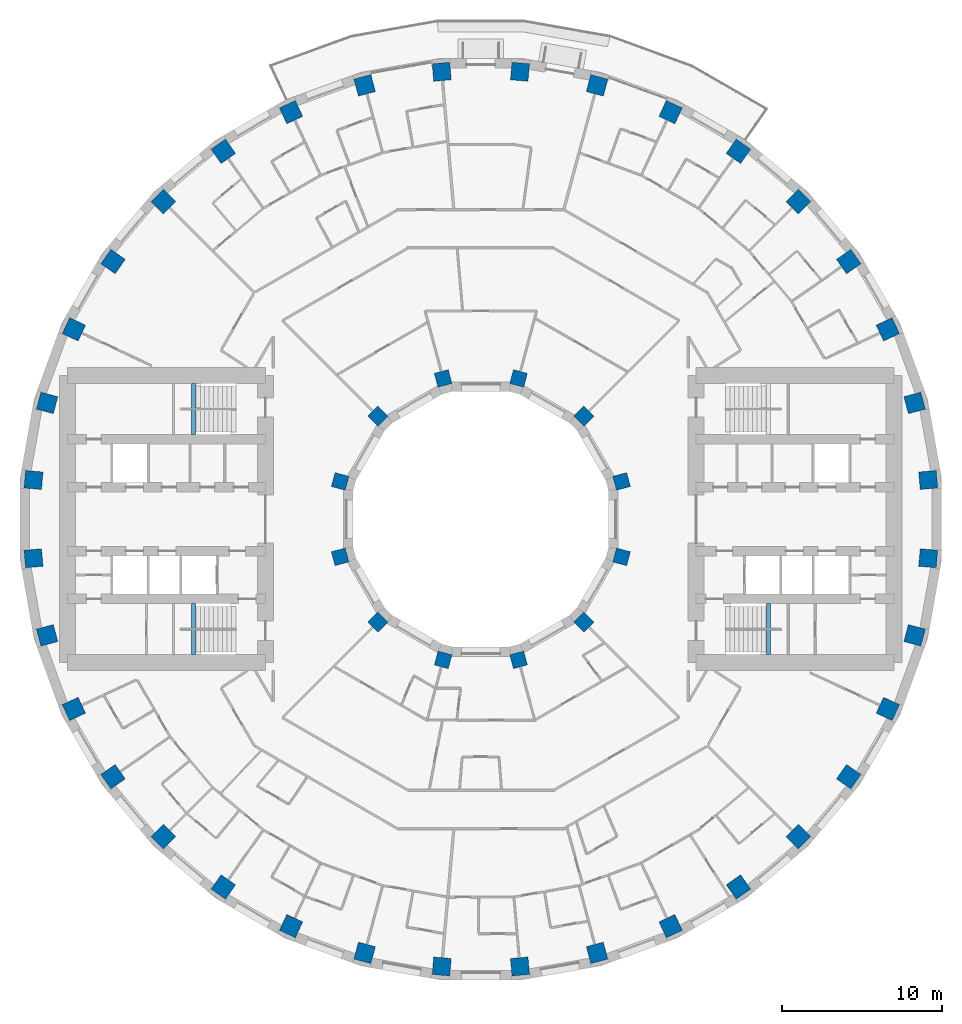
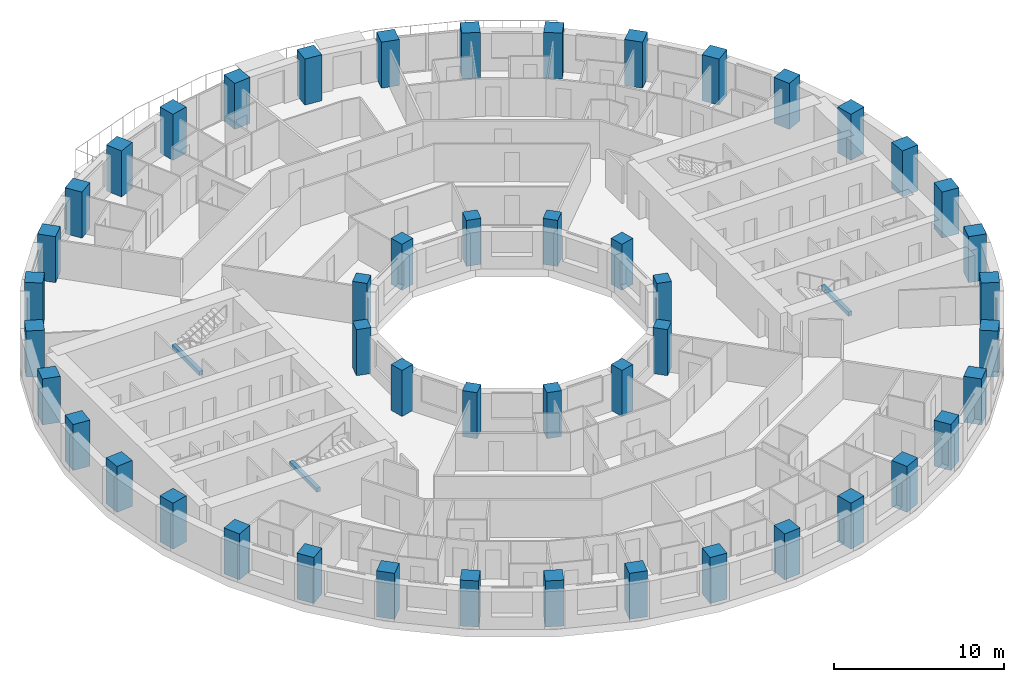
# One storey, part 1 of 15: 48 columns, 3 beams.
"""IFC4 building model written with IfcOpenShell, lengths in metres."""

import ifcopenshell
import ifcopenshell.guid

model = None  # the IFC model being written
_history = None  # IfcOwnerHistory: only IFC2X3 demands one
_inside = {}  # id of a spatial element -> (the spatial element, [elements in it])
_under = {}  # id of a project, library or spatial element -> (it, [spatial elements below it])
_declared = {}  # id of a project -> (the project, [libraries it declares])
_typed = {}  # id of a type object -> (the type object, [elements of that type])
_made_of = {}  # id of a material, layer set ... -> (it, [elements and type objects made of it])


def new_model(schema):
    """Start an empty IFC model of exactly this schema.

    Asked for "IFC4X3", IfcOpenShell would pick the latest addendum, in which some entities
    have other attributes; the version numbers below select the first issue.
    IFC2X3 requires an IfcOwnerHistory on every rooted entity: one is made here for all.
    """
    global model, _history
    if schema == "IFC4X3":
        model = ifcopenshell.file(schema_version=(4, 3, 0, 0))
    else:
        model = ifcopenshell.file(schema=schema)
    _inside.clear()
    _under.clear()
    _declared.clear()
    _typed.clear()
    _made_of.clear()
    _history = None
    if model.schema == "IFC2X3":
        org = make("IfcOrganization", Name="unknown")
        user = make(
            "IfcPersonAndOrganization",
            ThePerson=make("IfcPerson", FamilyName="unknown"),
            TheOrganization=org,
        )
        app = make(
            "IfcApplication",
            ApplicationDeveloper=org,
            Version="unknown",
            ApplicationFullName="unknown",
            ApplicationIdentifier="unknown",
        )
        _history = make(
            "IfcOwnerHistory",
            OwningUser=user,
            OwningApplication=app,
            ChangeAction="ADDED",
            CreationDate=0,
        )
    return model


def make(cls, **values):
    """One entity of the class cls with the attributes given. An attribute that is None is left unset."""
    return model.create_entity(
        cls, **{name: value for name, value in values.items() if value is not None}
    )


def rooted(cls, **values):
    """An entity with a GlobalId (a new one), such as an element, a storey or a relation."""
    return make(cls, GlobalId=ifcopenshell.guid.new(), OwnerHistory=_history, **values)


def si_unit(unit_type, name, prefix=None):
    """IfcSIUnit, for example si_unit("LENGTHUNIT", "METRE", prefix="MILLI")."""
    return make("IfcSIUnit", UnitType=unit_type, Prefix=prefix, Name=name)


def assignment(units):
    """IfcUnitAssignment: the units of a project."""
    return None if units is None else make("IfcUnitAssignment", Units=units)


def point(xyz):
    """IfcCartesianPoint."""
    return None if xyz is None else make("IfcCartesianPoint", Coordinates=xyz)


def direction(xyz):
    """IfcDirection."""
    return None if xyz is None else make("IfcDirection", DirectionRatios=xyz)


def frame(location, z_axis=None, x_axis=None):
    """IfcAxis2Placement3D, a coordinate frame: its origin and axes. An axis left out is left unset."""
    return make(
        "IfcAxis2Placement3D",
        Location=point(location),
        Axis=direction(z_axis),
        RefDirection=direction(x_axis),
    )


def frame_2d(location, x_axis=None):
    """IfcAxis2Placement2D, a coordinate frame in the plane: its origin and x axis."""
    return make(
        "IfcAxis2Placement2D", Location=point(location), RefDirection=direction(x_axis)
    )


def origin():
    """The frame at (0, 0, 0) with its axes left unset."""
    return frame((0.0, 0.0, 0.0))


def origin_2d():
    """The frame at (0, 0) in the plane with its x axis left unset."""
    return frame_2d((0.0, 0.0))


def place(relative_to, where):
    """IfcLocalPlacement: puts the frame where relative to a parent placement (None: the world)."""
    return make(
        "IfcLocalPlacement", PlacementRelTo=relative_to, RelativePlacement=where
    )


def context(
    kind, dimensions, precision=None, world=None, true_north=None, identifier=None
):
    """IfcGeometricRepresentationContext, for example the 3D "Model" context."""
    return make(
        "IfcGeometricRepresentationContext",
        ContextIdentifier=identifier,
        ContextType=kind,
        CoordinateSpaceDimension=dimensions,
        Precision=precision,
        WorldCoordinateSystem=world,
        TrueNorth=true_north,
    )


def subcontext(parent, identifier, kind, view, scale=None):
    """IfcGeometricRepresentationSubContext, for example "Body" below "Model"."""
    return make(
        "IfcGeometricRepresentationSubContext",
        ContextIdentifier=identifier,
        ContextType=kind,
        ParentContext=parent,
        TargetScale=scale,
        TargetView=view,
    )


def project(units=None, contexts=None):
    """IfcProject with its units and contexts."""
    return rooted(
        "IfcProject",
        Name="project",
        RepresentationContexts=contexts,
        UnitsInContext=assignment(units),
    )


def spatial(cls, under=None, at=None, **own):
    """A site, building, storey or space (cls), placed at a placement, below another one or the project."""
    s = rooted(cls, ObjectPlacement=at, **own)
    if under is not None:
        _under.setdefault(under.id(), (under, []))[1].append(s)
    return s


def profile(cls, at=None, kind="AREA", **sizes):
    """A parametric profile (cls). Its sizes go by their IFC names, for example OverallWidth=200.0."""
    return make(cls, ProfileType=kind, Position=at, **sizes)


def rectangle(**sizes):
    """IfcRectangleProfileDef."""
    return profile("IfcRectangleProfileDef", **sizes)


def extrude(swept, where, along, depth):
    """IfcExtrudedAreaSolid: the profile swept, set in the frame where, extruded along a direction by depth."""
    return make(
        "IfcExtrudedAreaSolid",
        SweptArea=swept,
        Position=where,
        ExtrudedDirection=direction(along),
        Depth=depth,
    )


def shape(context_of_items, identifier, shape_type, items):
    """IfcShapeRepresentation: the items that make up one representation, for example the "Body"."""
    return make(
        "IfcShapeRepresentation",
        ContextOfItems=context_of_items,
        RepresentationIdentifier=identifier,
        RepresentationType=shape_type,
        Items=items,
    )


def material(Name=None, Category=None):
    """IfcMaterial."""
    return make("IfcMaterial", Name=Name, Category=Category)


def material_profile(
    of_material, cross_section, Name=None, Category=None, Priority=None
):
    """IfcMaterialProfile: a cross section and its material."""
    return make(
        "IfcMaterialProfile",
        Name=Name,
        Material=of_material,
        Profile=cross_section,
        Priority=Priority,
        Category=Category,
    )


def profile_set(profiles, Name=None, composite=None):
    """IfcMaterialProfileSet."""
    return make(
        "IfcMaterialProfileSet",
        Name=Name,
        MaterialProfiles=profiles,
        CompositeProfile=composite,
    )


def made_of(thing, what):
    """Note that an element or type object is made of a material, layer set ...; save() writes the relation."""
    if what is not None:
        _made_of.setdefault(what.id(), (what, []))[1].append(thing)
    return thing


def type_object(cls, material=None, **own):
    """A type object (cls), such as IfcWallType, which elements share."""
    return made_of(rooted(cls, **own), material)


def element(
    cls,
    number,
    at=None,
    inside=None,
    cuts=None,
    type_object=None,
    material=None,
    context=None,
    identifier="Body",
    shape_type=None,
    held_by="IfcProductDefinitionShape",
    body=None,
    shapes=None,
    **own,
):
    """One element of the class cls, such as IfcWall. Its Tag is "e" and its number.

    at: its placement. inside: the storey or other place that contains it. cuts: it is an
    opening in that element (IfcRelVoidsElement). A single representation is given by context,
    identifier, shape_type and body (its items); several are given by shapes. held_by: the class
    of the entity that holds the representations. save() writes the other relations.
    """
    e = rooted(cls, Tag="e%d" % number, ObjectPlacement=at, **own)
    if body is not None:
        shapes = [shape(context, identifier, shape_type, body)]
    if shapes is not None:
        e.Representation = make(held_by, Representations=shapes)
    if inside is not None:
        _inside.setdefault(inside.id(), (inside, []))[1].append(e)
    if cuts is not None:
        rooted(
            "IfcRelVoidsElement", RelatingBuildingElement=cuts, RelatedOpeningElement=e
        )
    if type_object is not None:
        _typed.setdefault(type_object.id(), (type_object, []))[1].append(e)
    return made_of(e, material)


def aggregate(whole, parts):
    """IfcRelAggregates: a whole, such as a stair, and the parts it consists of."""
    return rooted("IfcRelAggregates", RelatingObject=whole, RelatedObjects=parts)


def save(model, path):
    """Write the relations noted so far, then the file.

    IfcRelAggregates (storeys below a building ...), IfcRelContainedInSpatialStructure (elements
    in a storey), IfcRelDefinesByType, IfcRelAssociatesMaterial and IfcRelDeclares: one each for
    every whole, place, type object, material and project.
    """
    for whole, parts in _under.values():
        aggregate(whole, parts)
    for where, things in _inside.values():
        rooted(
            "IfcRelContainedInSpatialStructure",
            RelatedElements=things,
            RelatingStructure=where,
        )
    for kind, things in _typed.values():
        rooted("IfcRelDefinesByType", RelatedObjects=things, RelatingType=kind)
    for what, things in _made_of.values():
        rooted("IfcRelAssociatesMaterial", RelatedObjects=things, RelatingMaterial=what)
    for by, libraries in _declared.values():
        rooted("IfcRelDeclares", RelatingContext=by, RelatedDefinitions=libraries)
    model.write(path)


model = new_model("IFC4")

# Units and contexts
model_context = context("Model", 3, precision=1e-05, world=origin(), true_north=direction((0.0, 1.0)))
body_context = subcontext(model_context, "Body", "Model", "MODEL_VIEW")
ifc_project = project(units=[si_unit("LENGTHUNIT", "METRE"), si_unit("AREAUNIT", "SQUARE_METRE"), si_unit("VOLUMEUNIT", "CUBIC_METRE"), si_unit("PLANEANGLEUNIT", "RADIAN"), si_unit("MASSUNIT", "GRAM", prefix="KILO")], contexts=[model_context])

# Site, building, storey
site_placement = place(None, origin())
site = spatial("IfcSite", under=ifc_project, at=site_placement, CompositionType="ELEMENT")
building_placement = place(site_placement, origin())
building = spatial("IfcBuilding", under=site, at=building_placement, Name="Saqina Gate Tower", CompositionType="ELEMENT")
storey_placement = place(building_placement, frame((0.0, 0.0, 79.10009765625)))
storey = spatial("IfcBuildingStorey", under=building, at=storey_placement, Name="L22", CompositionType="ELEMENT", Elevation=79.10009765625)

# Columns
ifc_material_1 = material(Name="Concrete C70/85", Category="concrete")
ifc_material_profile_1 = material_profile(ifc_material_1, rectangle(XDim=0.89990234375, YDim=0.89990234375, at=origin_2d()), Name="RC 900x900")
ifc_profile_set_1 = profile_set([ifc_material_profile_1], Name="Concrete C70/85")
column_type_1 = type_object("IfcColumnType", Name="STR-COL-IN-A", PredefinedType="COLUMN", material=ifc_profile_set_1)
for number, where, z_axis, x_axis, name in (
    (1, (8.821044921875, 2.363525390625, 0.0), (0.0, 0.0, 1.0), (0.965925826289, 0.258819045103, 0.0), "L22-ICL01"),
    (2, (6.45751953125, 6.45751953125, 0.0), (0.0, 0.0, 1.0), (0.707106781187, 0.707106781187, 0.0), "L22-ICL02"),
    (3, (2.363525390625, 8.821044921875, 0.0), (0.0, 0.0, 1.0), (0.258819045103, 0.965925826289, 0.0), "L22-ICL03"),
    (4, (-2.363525390625, 8.821044921875, 0.0), (0.0, 0.0, 1.0), (-0.258819045103, 0.965925826289, 0.0), "L22-ICL04"),
    (5, (-6.45751953125, 6.45751953125, 0.0), (0.0, 0.0, 1.0), (-0.707106781187, 0.707106781187, 0.0), "L22-ICL05"),
    (6, (-8.821044921875, 2.363525390625, 0.0), (0.0, 0.0, 1.0), (-0.965925826289, 0.258819045103, 0.0), "L22-ICL06"),
    (7, (-8.821044921875, -2.363525390625, 0.0), (0.0, 0.0, 1.0), (-0.965925826289, -0.258819045103, 0.0), "L22-ICL07"),
    (8, (-6.45751953125, -6.45751953125, 0.0), (0.0, 0.0, 1.0), (-0.707106781187, -0.707106781187, 0.0), "L22-ICL08"),
    (9, (-2.363525390625, -8.821044921875, 0.0), (0.0, 0.0, 1.0), (-0.258819045103, -0.965925826289, 0.0), "L22-ICL09"),
    (10, (2.363525390625, -8.821044921875, 0.0), (0.0, 0.0, 1.0), (0.258819045103, -0.965925826289, 0.0), "L22-ICL10"),
    (11, (6.45751953125, -6.45751953125, 0.0), (0.0, 0.0, 1.0), (0.707106781187, -0.707106781187, 0.0), "L22-ICL11"),
    (12, (8.821044921875, -2.363525390625, 0.0), (0.0, 0.0, 1.0), (0.965925826289, -0.258819045103, 0.0), "L22-ICL12"),
):
    element("IfcColumn", number, at=place(storey_placement, frame(where, z_axis=z_axis, x_axis=x_axis)), inside=storey, type_object=column_type_1, Name=name, PredefinedType="COLUMN", context=body_context, shape_type="SweptSolid", body=[
        extrude(rectangle(XDim=0.89990234375, YDim=0.89990234375, at=origin_2d()), origin(), (0.0, 0.0, 1.0), 3.2998046875),
    ])
ifc_material_2 = material(Name="Concrete C70/85", Category="concrete")
ifc_material_profile_2 = material_profile(ifc_material_2, rectangle(XDim=1.10009765625, YDim=1.10009765625, at=origin_2d()), Name="RC 1100x1100")
ifc_profile_set_2 = profile_set([ifc_material_profile_2], Name="Concrete C70/85")
column_type_2 = type_object("IfcColumnType", Name="STR-COL-OUT-A", PredefinedType="COLUMN", material=ifc_profile_set_2)
for number, where, z_axis, x_axis, name in (
    (13, (28.04296875, 2.453369140625, 0.0), (0.0, 0.0, 1.0), (0.996194698092, 0.087155742748, 0.0), "L22-COL01"),
    (14, (27.19091796875, 7.28564453125, 0.0), (0.0, 0.0, 1.0), (0.965925826289, 0.258819045103, 0.0), "L22-COL02"),
    (15, (25.512451171875, 11.896728515625, 0.0), (0.0, 0.0, 1.0), (0.906307787037, 0.422618261741, 0.0), "L22-COL03"),
    (16, (23.05908203125, 16.146240234375, 0.0), (0.0, 0.0, 1.0), (0.819152044289, 0.573576436351, 0.0), "L22-COL04"),
    (17, (19.905029296875, 19.905029296875, 0.0), (0.0, 0.0, 1.0), (0.707106781187, 0.707106781187, 0.0), "L22-COL05"),
    (18, (16.146240234375, 23.05908203125, 0.0), (0.0, 0.0, 1.0), (0.573576436351, 0.819152044289, 0.0), "L22-COL06"),
    (19, (11.896728515625, 25.512451171875, 0.0), (0.0, 0.0, 1.0), (0.422618261741, 0.906307787037, 0.0), "L22-COL07"),
    (20, (7.28564453125, 27.19091796875, 0.0), (0.0, 0.0, 1.0), (0.258819045103, 0.965925826289, 0.0), "L22-COL08"),
    (21, (2.453369140625, 28.04296875, 0.0), (0.0, 0.0, 1.0), (0.087155742748, 0.996194698092, 0.0), "L22-COL09"),
    (22, (-2.453369140625, 28.04296875, 0.0), (0.0, 0.0, 1.0), (-0.087155742748, 0.996194698092, 0.0), "L22-COL10"),
    (23, (-7.28564453125, 27.19091796875, 0.0), (0.0, 0.0, 1.0), (-0.258819045103, 0.965925826289, 0.0), "L22-COL11"),
    (24, (-11.896728515625, 25.512451171875, 0.0), (0.0, 0.0, 1.0), (-0.422618261741, 0.906307787037, 0.0), "L22-COL12"),
    (25, (-16.146240234375, 23.05908203125, 0.0), (0.0, 0.0, 1.0), (-0.573576436351, 0.819152044289, 0.0), "L22-COL13"),
    (26, (-19.905029296875, 19.905029296875, 0.0), (0.0, 0.0, 1.0), (-0.707106781187, 0.707106781187, 0.0), "L22-COL14"),
    (27, (-23.05908203125, 16.146240234375, 0.0), (0.0, 0.0, 1.0), (-0.819152044289, 0.573576436351, 0.0), "L22-COL15"),
    (28, (-25.512451171875, 11.896728515625, 0.0), (0.0, 0.0, 1.0), (-0.906307787037, 0.422618261741, 0.0), "L22-COL16"),
    (29, (-27.19091796875, 7.28564453125, 0.0), (0.0, 0.0, 1.0), (-0.965925826289, 0.258819045103, 0.0), "L22-COL17"),
    (30, (-28.04296875, 2.453369140625, 0.0), (0.0, 0.0, 1.0), (-0.996194698092, 0.087155742748, 0.0), "L22-COL18"),
    (31, (-28.04296875, -2.453369140625, 0.0), (0.0, 0.0, 1.0), (-0.996194698092, -0.087155742748, 0.0), "L22-COL19"),
    (32, (-27.19091796875, -7.28564453125, 0.0), (0.0, 0.0, 1.0), (-0.965925826289, -0.258819045103, 0.0), "L22-COL20"),
    (33, (-25.512451171875, -11.896728515625, 0.0), (0.0, 0.0, 1.0), (-0.906307787037, -0.422618261741, 0.0), "L22-COL21"),
    (34, (-23.05908203125, -16.146240234375, 0.0), (0.0, 0.0, 1.0), (-0.819152044289, -0.573576436351, 0.0), "L22-COL22"),
    (35, (-19.905029296875, -19.905029296875, 0.0), (0.0, 0.0, 1.0), (-0.707106781187, -0.707106781187, 0.0), "L22-COL23"),
    (36, (-16.146240234375, -23.05908203125, 0.0), (0.0, 0.0, 1.0), (-0.573576436351, -0.819152044289, 0.0), "L22-COL24"),
    (37, (-11.896728515625, -25.512451171875, 0.0), (0.0, 0.0, 1.0), (-0.422618261741, -0.906307787037, 0.0), "L22-COL25"),
    (38, (-7.28564453125, -27.19091796875, 0.0), (0.0, 0.0, 1.0), (-0.258819045103, -0.965925826289, 0.0), "L22-COL26"),
    (39, (-2.453369140625, -28.04296875, 0.0), (0.0, 0.0, 1.0), (-0.087155742748, -0.996194698092, 0.0), "L22-COL27"),
    (40, (2.453369140625, -28.04296875, 0.0), (0.0, 0.0, 1.0), (0.087155742748, -0.996194698092, 0.0), "L22-COL28"),
    (41, (7.28564453125, -27.19091796875, 0.0), (0.0, 0.0, 1.0), (0.258819045103, -0.965925826289, 0.0), "L22-COL29"),
    (42, (11.896728515625, -25.512451171875, 0.0), (0.0, 0.0, 1.0), (0.422618261741, -0.906307787037, 0.0), "L22-COL30"),
    (43, (16.146240234375, -23.05908203125, 0.0), (0.0, 0.0, 1.0), (0.573576436351, -0.819152044289, 0.0), "L22-COL31"),
    (44, (19.905029296875, -19.905029296875, 0.0), (0.0, 0.0, 1.0), (0.707106781187, -0.707106781187, 0.0), "L22-COL32"),
    (45, (23.05908203125, -16.146240234375, 0.0), (0.0, 0.0, 1.0), (0.819152044289, -0.573576436351, 0.0), "L22-COL33"),
    (46, (25.512451171875, -11.896728515625, 0.0), (0.0, 0.0, 1.0), (0.906307787037, -0.422618261741, 0.0), "L22-COL34"),
    (47, (27.19091796875, -7.28564453125, 0.0), (0.0, 0.0, 1.0), (0.965925826289, -0.258819045103, 0.0), "L22-COL35"),
    (48, (28.04296875, -2.453369140625, 0.0), (0.0, 0.0, 1.0), (0.996194698092, -0.087155742748, 0.0), "L22-COL36"),
):
    element("IfcColumn", number, at=place(storey_placement, frame(where, z_axis=z_axis, x_axis=x_axis)), inside=storey, type_object=column_type_2, Name=name, PredefinedType="COLUMN", context=body_context, shape_type="SweptSolid", body=[
        extrude(rectangle(XDim=1.10009765625, YDim=1.10009765625, at=origin_2d()), origin(), (0.0, 0.0, 1.0), 3.2998046875),
    ])

# Beams
ifc_material_3 = material(Name="Concrete C40/50", Category="concrete")
ifc_material_profile_3 = material_profile(ifc_material_3, rectangle(XDim=0.25, YDim=0.300048828125, at=origin_2d()), Name="STAIR LANDING BEAM")
ifc_profile_set_3 = profile_set([ifc_material_profile_3], Name="Concrete C40/50")
beam_type = type_object("IfcBeamType", Name="STAIR LANDING BEAM", PredefinedType="BEAM", material=ifc_profile_set_3)
for number, where, z_axis, x_axis, name in (
    (49, (18.02001953125, -8.5, 1.25), (0.0, 1.0, 0.0), (-1.0, 0.0, 0.0), "EXIT STAIR 2 LANDING BEAM"),
    (50, (-18.02001953125, 5.300048828125, 1.25), (0.0, 1.0, 0.0), (-1.0, 0.0, 0.0), "EXIT STAIR 3 LANDING BEAM"),
    (51, (-18.02001953125, -8.5, 1.25), (0.0, 1.0, 0.0), (-1.0, 0.0, 0.0), "EXIT STAIR 4 LANDING BEAM"),
):
    element("IfcBeam", number, at=place(storey_placement, frame(where, z_axis=z_axis, x_axis=x_axis)), inside=storey, type_object=beam_type, Name=name, PredefinedType="BEAM", context=body_context, shape_type="SweptSolid", body=[
        extrude(rectangle(XDim=0.25, YDim=0.300048828125, at=origin_2d()), origin(), (0.0, 0.0, 1.0), 3.199951171875),
    ])

save(model, "model.ifc")
